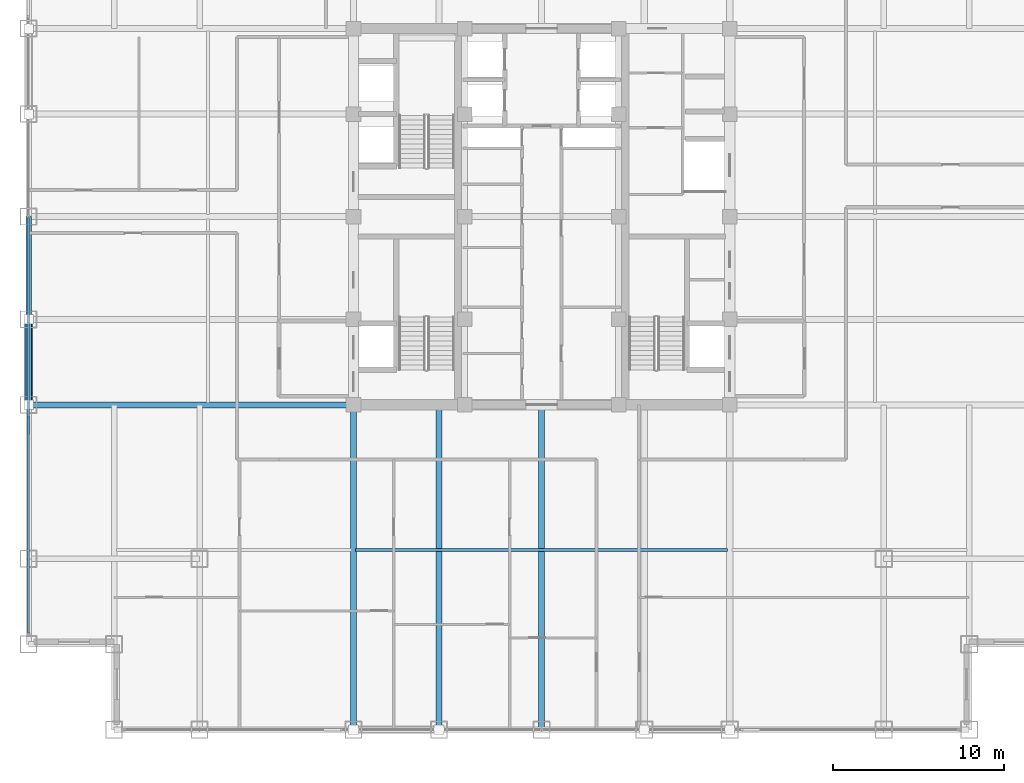
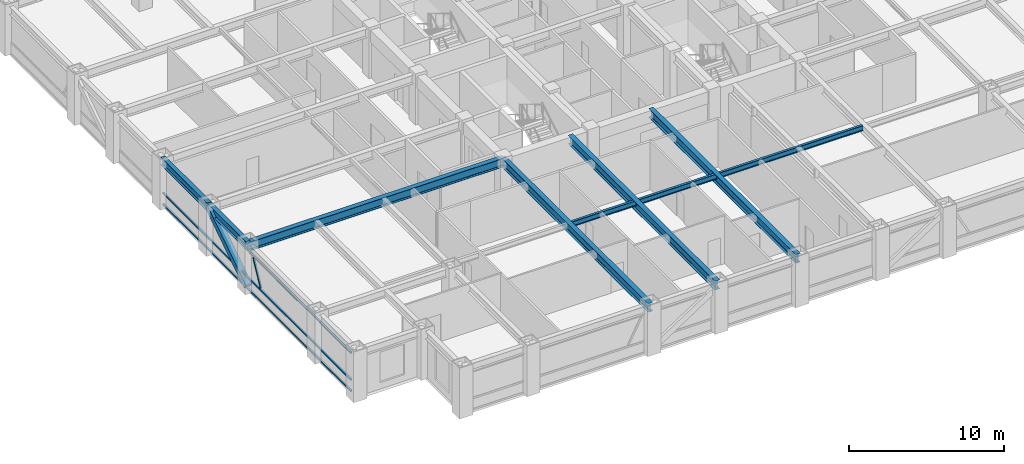
# One storey, part 5 of 24: 7 beams, 5 members, 1 element without a shape of its own.
"""IFC4 building model written with IfcOpenShell, lengths in metres."""

import ifcopenshell
import ifcopenshell.guid

model = None  # the IFC model being written
_history = None  # IfcOwnerHistory: only IFC2X3 demands one
_inside = {}  # id of a spatial element -> (the spatial element, [elements in it])
_under = {}  # id of a project, library or spatial element -> (it, [spatial elements below it])
_declared = {}  # id of a project -> (the project, [libraries it declares])
_typed = {}  # id of a type object -> (the type object, [elements of that type])
_made_of = {}  # id of a material, layer set ... -> (it, [elements and type objects made of it])


def new_model(schema):
    """Start an empty IFC model of exactly this schema.

    Asked for "IFC4X3", IfcOpenShell would pick the latest addendum, in which some entities
    have other attributes; the version numbers below select the first issue.
    IFC2X3 requires an IfcOwnerHistory on every rooted entity: one is made here for all.
    """
    global model, _history
    if schema == "IFC4X3":
        model = ifcopenshell.file(schema_version=(4, 3, 0, 0))
    else:
        model = ifcopenshell.file(schema=schema)
    _inside.clear()
    _under.clear()
    _declared.clear()
    _typed.clear()
    _made_of.clear()
    _history = None
    if model.schema == "IFC2X3":
        org = make("IfcOrganization", Name="unknown")
        user = make(
            "IfcPersonAndOrganization",
            ThePerson=make("IfcPerson", FamilyName="unknown"),
            TheOrganization=org,
        )
        app = make(
            "IfcApplication",
            ApplicationDeveloper=org,
            Version="unknown",
            ApplicationFullName="unknown",
            ApplicationIdentifier="unknown",
        )
        _history = make(
            "IfcOwnerHistory",
            OwningUser=user,
            OwningApplication=app,
            ChangeAction="ADDED",
            CreationDate=0,
        )
    return model


def make(cls, **values):
    """One entity of the class cls with the attributes given. An attribute that is None is left unset."""
    return model.create_entity(
        cls, **{name: value for name, value in values.items() if value is not None}
    )


def rooted(cls, **values):
    """An entity with a GlobalId (a new one), such as an element, a storey or a relation."""
    return make(cls, GlobalId=ifcopenshell.guid.new(), OwnerHistory=_history, **values)


def si_unit(unit_type, name, prefix=None):
    """IfcSIUnit, for example si_unit("LENGTHUNIT", "METRE", prefix="MILLI")."""
    return make("IfcSIUnit", UnitType=unit_type, Prefix=prefix, Name=name)


def assignment(units):
    """IfcUnitAssignment: the units of a project."""
    return None if units is None else make("IfcUnitAssignment", Units=units)


def point(xyz):
    """IfcCartesianPoint."""
    return None if xyz is None else make("IfcCartesianPoint", Coordinates=xyz)


def direction(xyz):
    """IfcDirection."""
    return None if xyz is None else make("IfcDirection", DirectionRatios=xyz)


def frame(location, z_axis=None, x_axis=None):
    """IfcAxis2Placement3D, a coordinate frame: its origin and axes. An axis left out is left unset."""
    return make(
        "IfcAxis2Placement3D",
        Location=point(location),
        Axis=direction(z_axis),
        RefDirection=direction(x_axis),
    )


def frame_2d(location, x_axis=None):
    """IfcAxis2Placement2D, a coordinate frame in the plane: its origin and x axis."""
    return make(
        "IfcAxis2Placement2D", Location=point(location), RefDirection=direction(x_axis)
    )


def origin():
    """The frame at (0, 0, 0) with its axes left unset."""
    return frame((0.0, 0.0, 0.0))


def origin_2d():
    """The frame at (0, 0) in the plane with its x axis left unset."""
    return frame_2d((0.0, 0.0))


def place(relative_to, where):
    """IfcLocalPlacement: puts the frame where relative to a parent placement (None: the world)."""
    return make(
        "IfcLocalPlacement", PlacementRelTo=relative_to, RelativePlacement=where
    )


def context(
    kind, dimensions, precision=None, world=None, true_north=None, identifier=None
):
    """IfcGeometricRepresentationContext, for example the 3D "Model" context."""
    return make(
        "IfcGeometricRepresentationContext",
        ContextIdentifier=identifier,
        ContextType=kind,
        CoordinateSpaceDimension=dimensions,
        Precision=precision,
        WorldCoordinateSystem=world,
        TrueNorth=true_north,
    )


def subcontext(parent, identifier, kind, view, scale=None):
    """IfcGeometricRepresentationSubContext, for example "Body" below "Model"."""
    return make(
        "IfcGeometricRepresentationSubContext",
        ContextIdentifier=identifier,
        ContextType=kind,
        ParentContext=parent,
        TargetScale=scale,
        TargetView=view,
    )


def project(units=None, contexts=None):
    """IfcProject with its units and contexts."""
    return rooted(
        "IfcProject",
        Name="project",
        RepresentationContexts=contexts,
        UnitsInContext=assignment(units),
    )


def spatial(cls, under=None, at=None, **own):
    """A site, building, storey or space (cls), placed at a placement, below another one or the project."""
    s = rooted(cls, ObjectPlacement=at, **own)
    if under is not None:
        _under.setdefault(under.id(), (under, []))[1].append(s)
    return s


def profile(cls, at=None, kind="AREA", **sizes):
    """A parametric profile (cls). Its sizes go by their IFC names, for example OverallWidth=200.0."""
    return make(cls, ProfileType=kind, Position=at, **sizes)


def hollow_rectangle(**sizes):
    """IfcRectangleHollowProfileDef."""
    return profile("IfcRectangleHollowProfileDef", **sizes)


def i_section(**sizes):
    """IfcIShapeProfileDef."""
    return profile("IfcIShapeProfileDef", **sizes)


def extrude(swept, where, along, depth):
    """IfcExtrudedAreaSolid: the profile swept, set in the frame where, extruded along a direction by depth."""
    return make(
        "IfcExtrudedAreaSolid",
        SweptArea=swept,
        Position=where,
        ExtrudedDirection=direction(along),
        Depth=depth,
    )


def shape(context_of_items, identifier, shape_type, items):
    """IfcShapeRepresentation: the items that make up one representation, for example the "Body"."""
    return make(
        "IfcShapeRepresentation",
        ContextOfItems=context_of_items,
        RepresentationIdentifier=identifier,
        RepresentationType=shape_type,
        Items=items,
    )


def source(mapping_origin, context_of_items, identifier, shape_type, items):
    """IfcRepresentationMap: a shape defined once, which mapped items show again and again."""
    return make(
        "IfcRepresentationMap",
        MappingOrigin=mapping_origin,
        MappedRepresentation=shape(context_of_items, identifier, shape_type, items),
    )


def transform(
    local_origin,
    x_axis=None,
    y_axis=None,
    z_axis=None,
    scale=None,
    scale2=None,
    scale3=None,
    uniform=True,
):
    """IfcCartesianTransformationOperator3D, or its non-uniform kind. x_axis, y_axis, z_axis: its Axis1, 2, 3."""
    if uniform:
        return make(
            "IfcCartesianTransformationOperator3D",
            Axis1=direction(x_axis),
            Axis2=direction(y_axis),
            LocalOrigin=point(local_origin),
            Scale=scale,
            Axis3=direction(z_axis),
        )
    return make(
        "IfcCartesianTransformationOperator3DnonUniform",
        Axis1=direction(x_axis),
        Axis2=direction(y_axis),
        LocalOrigin=point(local_origin),
        Scale=scale,
        Axis3=direction(z_axis),
        Scale2=scale2,
        Scale3=scale3,
    )


def mapped(mapping_source, mapping_target):
    """IfcMappedItem: shows the shape of a source again, moved by a transform."""
    return make(
        "IfcMappedItem", MappingSource=mapping_source, MappingTarget=mapping_target
    )


def material(Name=None, Category=None):
    """IfcMaterial."""
    return make("IfcMaterial", Name=Name, Category=Category)


def material_profile(
    of_material, cross_section, Name=None, Category=None, Priority=None
):
    """IfcMaterialProfile: a cross section and its material."""
    return make(
        "IfcMaterialProfile",
        Name=Name,
        Material=of_material,
        Profile=cross_section,
        Priority=Priority,
        Category=Category,
    )


def profile_set(profiles, Name=None, composite=None):
    """IfcMaterialProfileSet."""
    return make(
        "IfcMaterialProfileSet",
        Name=Name,
        MaterialProfiles=profiles,
        CompositeProfile=composite,
    )


def made_of(thing, what):
    """Note that an element or type object is made of a material, layer set ...; save() writes the relation."""
    if what is not None:
        _made_of.setdefault(what.id(), (what, []))[1].append(thing)
    return thing


def type_object(cls, material=None, **own):
    """A type object (cls), such as IfcWallType, which elements share."""
    return made_of(rooted(cls, **own), material)


def element(
    cls,
    number,
    at=None,
    inside=None,
    cuts=None,
    type_object=None,
    material=None,
    context=None,
    identifier="Body",
    shape_type=None,
    held_by="IfcProductDefinitionShape",
    body=None,
    shapes=None,
    **own,
):
    """One element of the class cls, such as IfcWall. Its Tag is "e" and its number.

    at: its placement. inside: the storey or other place that contains it. cuts: it is an
    opening in that element (IfcRelVoidsElement). A single representation is given by context,
    identifier, shape_type and body (its items); several are given by shapes. held_by: the class
    of the entity that holds the representations. save() writes the other relations.
    """
    e = rooted(cls, Tag="e%d" % number, ObjectPlacement=at, **own)
    if body is not None:
        shapes = [shape(context, identifier, shape_type, body)]
    if shapes is not None:
        e.Representation = make(held_by, Representations=shapes)
    if inside is not None:
        _inside.setdefault(inside.id(), (inside, []))[1].append(e)
    if cuts is not None:
        rooted(
            "IfcRelVoidsElement", RelatingBuildingElement=cuts, RelatedOpeningElement=e
        )
    if type_object is not None:
        _typed.setdefault(type_object.id(), (type_object, []))[1].append(e)
    return made_of(e, material)


def aggregate(whole, parts):
    """IfcRelAggregates: a whole, such as a stair, and the parts it consists of."""
    return rooted("IfcRelAggregates", RelatingObject=whole, RelatedObjects=parts)


def save(model, path):
    """Write the relations noted so far, then the file.

    IfcRelAggregates (storeys below a building ...), IfcRelContainedInSpatialStructure (elements
    in a storey), IfcRelDefinesByType, IfcRelAssociatesMaterial and IfcRelDeclares: one each for
    every whole, place, type object, material and project.
    """
    for whole, parts in _under.values():
        aggregate(whole, parts)
    for where, things in _inside.values():
        rooted(
            "IfcRelContainedInSpatialStructure",
            RelatedElements=things,
            RelatingStructure=where,
        )
    for kind, things in _typed.values():
        rooted("IfcRelDefinesByType", RelatedObjects=things, RelatingType=kind)
    for what, things in _made_of.values():
        rooted("IfcRelAssociatesMaterial", RelatedObjects=things, RelatingMaterial=what)
    for by, libraries in _declared.values():
        rooted("IfcRelDeclares", RelatingContext=by, RelatedDefinitions=libraries)
    model.write(path)


model = new_model("IFC4")

# Units and contexts
model_context = context("Model", 3, precision=1e-05, world=origin(), true_north=direction((0.0, 1.0)))
body_context = subcontext(model_context, "Body", "Model", "MODEL_VIEW")
ifc_project = project(units=[si_unit("LENGTHUNIT", "METRE"), si_unit("AREAUNIT", "SQUARE_METRE"), si_unit("VOLUMEUNIT", "CUBIC_METRE"), si_unit("PLANEANGLEUNIT", "RADIAN"), si_unit("MASSUNIT", "GRAM", prefix="KILO")], contexts=[model_context])

# Site, building, storey
site_placement = place(None, origin())
site = spatial("IfcSite", under=ifc_project, at=site_placement, CompositionType="ELEMENT")
building_placement = place(site_placement, origin())
building = spatial("IfcBuilding", under=site, at=building_placement, Name="Khorayat Bourse Tower", CompositionType="ELEMENT")
storey_placement = place(building_placement, frame((0.0, 0.0, 219.10009765625)))
storey = spatial("IfcBuildingStorey", under=building, at=storey_placement, Name="L51", CompositionType="ELEMENT", Elevation=219.10009765625)

# Beams
ifc_material_1 = material(Name="Steel ASTM A992 Grade 50", Category="steel")
ifc_material_profile_1 = material_profile(ifc_material_1, i_section(OverallWidth=0.180908203125, OverallDepth=0.4169921875, WebThickness=0.010986328125, FlangeThickness=0.018310546875, FilletRadius=0.011962890625, at=origin_2d()), Name="W410X85")
ifc_profile_set_1 = profile_set([ifc_material_profile_1], Name="Steel ASTM A992 Grade 50")
beam_type_1 = type_object("IfcBeamType", Name="BM-JOIST-410", PredefinedType="JOIST", material=ifc_profile_set_1)
shared_shape_1 = source(origin(), body_context, "Body", "SweptSolid", [
    extrude(i_section(OverallWidth=0.180908203125, OverallDepth=0.4169921875, WebThickness=0.010986328125, FlangeThickness=0.018310546875, FilletRadius=0.011962890625, at=origin_2d()), origin(), (0.0, 0.0, 1.0), 21.740234375),
])
beam_1_placement = place(storey_placement, frame((-10.8701171875, -19.5, 3.5712890625), z_axis=(1.0, 0.0, 0.0), x_axis=(0.0, 1.0, 0.0)))
element("IfcBeam", 1, at=beam_1_placement, inside=storey, type_object=beam_type_1, Name="L51 BM-JOIST-410 BM-L51-JSTX-097", PredefinedType="JOIST", context=body_context, shape_type="MappedRepresentation", body=[
    mapped(shared_shape_1, transform((0.0, 0.0, 0.0), scale=1.0)),
])
ifc_material_profile_2 = material_profile(ifc_material_1, i_section(OverallWidth=0.324951171875, OverallDepth=0.615966796875, WebThickness=0.013916015625, FlangeThickness=0.021484375, FilletRadius=0.01611328125, at=origin_2d()), Name="W610X174")
ifc_profile_set_2 = profile_set([ifc_material_profile_2], Name="Steel ASTM A992 Grade 50")
beam_type_2 = type_object("IfcBeamType", Name="BM-SPAN-610", PredefinedType="SPANDREL", material=ifc_profile_set_2)
shared_shape_2 = source(origin(), body_context, "Body", "SweptSolid", [
    extrude(i_section(OverallWidth=0.324951171875, OverallDepth=0.615966796875, WebThickness=0.013916015625, FlangeThickness=0.021484375, FilletRadius=0.01611328125, at=origin_2d()), origin(), (0.0, 0.0, 1.0), 5.0),
])
beam_2_placement = place(storey_placement, frame((-30.0, -11.0, 3.471923828125), z_axis=(0.0, 1.0, 0.0), x_axis=(-1.0, 0.0, 0.0)))
element("IfcBeam", 2, at=beam_2_placement, inside=storey, type_object=beam_type_2, Name="L51 BM-SPAN-610 BM-L51-SPN-059", PredefinedType="SPANDREL", context=body_context, shape_type="MappedRepresentation", body=[
    mapped(shared_shape_2, transform((0.0, 0.0, 0.0), scale=1.0)),
])
shared_shape_3 = source(origin(), body_context, "Body", "SweptSolid", [
    extrude(i_section(OverallWidth=0.324951171875, OverallDepth=0.615966796875, WebThickness=0.013916015625, FlangeThickness=0.021484375, FilletRadius=0.01611328125, at=origin_2d()), origin(), (0.0, 0.0, 1.0), 6.0),
])
beam_3_placement = place(storey_placement, frame((-30.0, -6.0, 3.471923828125), z_axis=(0.0, 1.0, 0.0), x_axis=(-1.0, 0.0, 0.0)))
element("IfcBeam", 3, at=beam_3_placement, inside=storey, type_object=beam_type_2, Name="L51 BM-SPAN-610 BM-L51-SPN-058", PredefinedType="SPANDREL", context=body_context, shape_type="MappedRepresentation", body=[
    mapped(shared_shape_3, transform((0.0, 0.0, 0.0), scale=1.0)),
])
ifc_material_profile_3 = material_profile(ifc_material_1, i_section(OverallWidth=0.35498046875, OverallDepth=0.695068359375, WebThickness=0.015380859375, FlangeThickness=0.02490234375, FilletRadius=0.01806640625, at=origin_2d()), Name="W690X217")
ifc_profile_set_3 = profile_set([ifc_material_profile_3], Name="Steel ASTM A992 Grade 50")
beam_type_3 = type_object("IfcBeamType", Name="BM-GIRD-690", PredefinedType="BEAM", material=ifc_profile_set_3)
shared_shape_4 = source(origin(), body_context, "Body", "SweptSolid", [
    extrude(i_section(OverallWidth=0.35498046875, OverallDepth=0.695068359375, WebThickness=0.015380859375, FlangeThickness=0.02490234375, FilletRadius=0.01806640625, at=origin_2d()), origin(), (0.0, 0.0, 1.0), 19.0),
])
for number, where, z_axis, x_axis, name in (
    (4, (-11.0, -30.0, 3.432373046875), (0.0, 1.0, 0.0), (-1.0, 0.0, 0.0), "L51 BM-GIRD-690 BM-L51-RADY-065"),
    (5, (-6.0, -30.0, 3.432373046875), (0.0, 1.0, 0.0), (-1.0, 0.0, 0.0), "L51 BM-GIRD-690 BM-L51-RADY-067"),
    (6, (0.0, -30.0, 3.432373046875), (0.0, 1.0, 0.0), (-1.0, 0.0, 0.0), "L51 BM-GIRD-690 BM-L51-RADY-069"),
    (7, (-30.0, -11.0, 3.432373046875), (1.0, 0.0, 0.0), (0.0, 1.0, 0.0), "L51 BM-GIRD-690 BM-L51-RADX-075"),
):
    element("IfcBeam", number, at=place(storey_placement, frame(where, z_axis=z_axis, x_axis=x_axis)), inside=storey, type_object=beam_type_3, Name=name, PredefinedType="BEAM", context=body_context, shape_type="MappedRepresentation", body=[
        mapped(shared_shape_4, transform((0.0, 0.0, 0.0), scale=1.0)),
    ])

# Member
ifc_material_2 = material(Name="Steel EN 10025-4 S460M", Category="steel")
ifc_material_profile_4 = material_profile(ifc_material_2, hollow_rectangle(XDim=0.449951171875, YDim=0.449951171875, WallThickness=0.02490234375, at=origin_2d()), Name="HSS 450x450x25")
ifc_profile_set_4 = profile_set([ifc_material_profile_4], Name="Steel EN 10025-4 S460M")
member_type_1 = type_object("IfcMemberType", Name="MBR-TUBE-450", PredefinedType="BRACE", material=ifc_profile_set_4)
shared_shape_5 = source(origin(), body_context, "Body", "SweptSolid", [
    extrude(hollow_rectangle(XDim=0.449951171875, YDim=0.449951171875, WallThickness=0.02490234375, at=origin_2d()), origin(), (0.0, 0.0, 1.0), 5.979736328125),
])
member_1_placement = place(storey_placement, frame((-30.0, -11.0, 0.25), z_axis=(0.0, 0.836160261256, 0.548485202623), x_axis=(-1.0, 0.0, 0.0)))
element("IfcMember", 8, at=member_1_placement, inside=storey, type_object=member_type_1, Name="L51 Perimeter Tube Brace 05", PredefinedType="BRACE", context=body_context, shape_type="MappedRepresentation", body=[
    mapped(shared_shape_5, transform((0.0, 0.0, 0.0), scale=1.0)),
])

# Curtain wall, members
ifc_material_3 = material(Name="Aluminium EN AW-6063 T6", Category="aluminium")
curtain_wall_type = type_object("IfcCurtainWallType", Name="CW-SYS-03", PredefinedType="NOTDEFINED", material=ifc_material_3)
curtain_wall_placement = place(storey_placement, origin())
curtain_wall = element("IfcCurtainWall", 9, at=curtain_wall_placement, inside=storey, type_object=curtain_wall_type, Name="L51 Curtain Wall CW-L51-W1", PredefinedType="NOTDEFINED")
ifc_material_profile_5 = material_profile(ifc_material_3, hollow_rectangle(XDim=0.1201171875, YDim=0.1201171875, WallThickness=0.0048828125, at=origin_2d()), Name="ALU 120x120x5")
ifc_profile_set_5 = profile_set([ifc_material_profile_5], Name="Aluminium EN AW-6063 T6")
member_type_2 = type_object("IfcMemberType", Name="CWM-DIAG-120", PredefinedType="MULLION", material=ifc_profile_set_5)
shared_shape_6 = source(origin(), body_context, "Body", "SweptSolid", [
    extrude(hollow_rectangle(XDim=0.1201171875, YDim=0.1201171875, WallThickness=0.0048828125, at=origin_2d()), origin(), (0.0, 0.0, 1.0), 2.079345703125),
])
member_2_placement = place(storey_placement, frame((-30.0, -12.67919921875, 1.08984375), z_axis=(0.0, 0.465760949701, 0.884910581773), x_axis=(-1.0, 0.0, 0.0)))
member_2 = element("IfcMember", 10, at=member_2_placement, type_object=member_type_2, Name="CW-L51-W1 Faceted Diagonal Mullion 1", PredefinedType="MULLION", context=body_context, shape_type="MappedRepresentation", body=[
    mapped(shared_shape_6, transform((0.0, 0.0, 0.0), scale=1.0)),
])
ifc_material_profile_6 = material_profile(ifc_material_3, hollow_rectangle(XDim=0.1201171875, YDim=0.1201171875, WallThickness=0.0048828125, at=origin_2d()), Name="ALU 120x120x5")
ifc_profile_set_6 = profile_set([ifc_material_profile_6], Name="Aluminium EN AW-6063 T6")
member_type_3 = type_object("IfcMemberType", Name="CWT-HORZ-120", PredefinedType="USERDEFINED", material=ifc_profile_set_6)
shared_shape_7 = source(origin(), body_context, "Body", "SweptSolid", [
    extrude(hollow_rectangle(XDim=0.1201171875, YDim=0.1201171875, WallThickness=0.0048828125, at=origin_2d()), origin(), (0.0, 0.0, 1.0), 24.27001953125),
])
member_3_placement = place(storey_placement, frame((-30.0, -24.330078125, 0.059814453125), z_axis=(0.0, 1.0, 0.0), x_axis=(-1.0, 0.0, 0.0)))
member_3 = element("IfcMember", 11, at=member_3_placement, type_object=member_type_3, Name="CW-L51-W1 Horizontal Transom 1-1", ObjectType="TRANSOM", PredefinedType="USERDEFINED", context=body_context, shape_type="MappedRepresentation", body=[
    mapped(shared_shape_7, transform((0.0, 0.0, 0.0), scale=1.0)),
])
member_4_placement = place(storey_placement, frame((-30.0, -24.330078125, 0.949951171875), z_axis=(0.0, 1.0, 0.0), x_axis=(-1.0, 0.0, 0.0)))
member_4 = element("IfcMember", 12, at=member_4_placement, type_object=member_type_3, Name="CW-L51-W1 Horizontal Transom 1-2", ObjectType="TRANSOM", PredefinedType="USERDEFINED", context=body_context, shape_type="MappedRepresentation", body=[
    mapped(shared_shape_7, transform((0.0, 0.0, 0.0), scale=1.0)),
])
member_5_placement = place(storey_placement, frame((-30.0, -24.330078125, 3.06982421875), z_axis=(0.0, 1.0, 0.0), x_axis=(-1.0, 0.0, 0.0)))
member_5 = element("IfcMember", 13, at=member_5_placement, type_object=member_type_3, Name="CW-L51-W1 Horizontal Transom 1-3", ObjectType="TRANSOM", PredefinedType="USERDEFINED", context=body_context, shape_type="MappedRepresentation", body=[
    mapped(shared_shape_7, transform((0.0, 0.0, 0.0), scale=1.0)),
])
aggregate(curtain_wall, [member_3, member_4, member_5, member_2])

save(model, "model.ifc")
